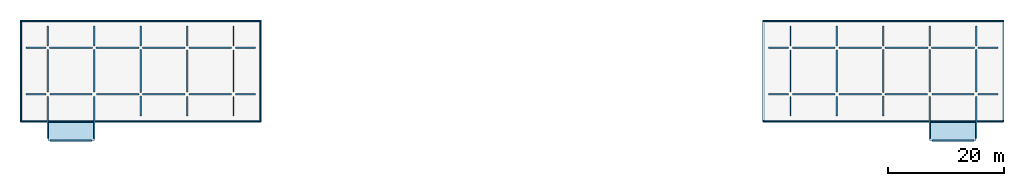
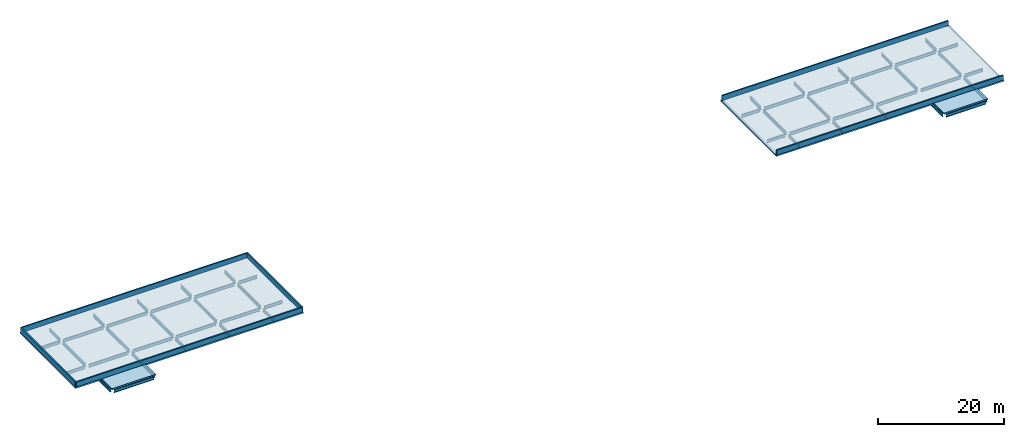
# One storey, part 1 of 2: 56 beams, 6 walls, 2 slabs.
"""IFC4 building model written with IfcOpenShell, lengths in metres."""

from ifc_helpers import new_model, si_unit, derived_unit, direction, frame, frame_2d, origin, origin_2d, place, context, subcontext, project, spatial, polyline, rectangle, i_section, outline, extrude, material, layer, layer_set, material_profile, profile_set, type_object, element, save


model = new_model("IFC4")

# Units and contexts
model_context = context("Model", 3, precision=1e-05, world=origin(), true_north=direction((0.0, 1.0)))
body_context = subcontext(model_context, "Body", "Model", "MODEL_VIEW")
ifc_project = project(units=[si_unit("LENGTHUNIT", "METRE"), si_unit("AREAUNIT", "SQUARE_METRE"), si_unit("VOLUMEUNIT", "CUBIC_METRE"), si_unit("PLANEANGLEUNIT", "RADIAN"), si_unit("MASSUNIT", "GRAM", prefix="KILO"), derived_unit("THERMALTRANSMITTANCEUNIT", [(si_unit("MASSUNIT", "GRAM", prefix="KILO"), 1), (si_unit("TIMEUNIT", "SECOND"), -3), (si_unit("THERMODYNAMICTEMPERATUREUNIT", "KELVIN"), -1)])], contexts=[model_context])

# Site, building, storey
site_placement = place(None, origin())
site = spatial("IfcSite", under=ifc_project, at=site_placement, CompositionType="ELEMENT")
building_placement = place(site_placement, origin())
building = spatial("IfcBuilding", under=site, at=building_placement, Name="Veyamyaing Civic Hall", CompositionType="ELEMENT")
storey_placement = place(building_placement, frame((0.0, 0.0, 30.030029296875)))
storey = spatial("IfcBuildingStorey", under=building, at=storey_placement, Name="RF", CompositionType="ELEMENT", Elevation=30.030029296875)

# Beams
ifc_material_1 = material(Name="Steel ASTM A992", Category="steel")
ifc_material_profile_1 = material_profile(ifc_material_1, i_section(OverallWidth=0.22998046875, OverallDepth=0.616943359375, WebThickness=0.01318359375, FlangeThickness=0.022216796875, FilletRadius=0.012939453125, at=origin_2d()), Name="W610X140")
ifc_profile_set_1 = profile_set([ifc_material_profile_1], Name="Steel ASTM A992")
beam_type_1 = type_object("IfcBeamType", Name="B-05", PredefinedType="BEAM", material=ifc_profile_set_1)
beam_1_placement = place(storey_placement, frame((8.35009765625, 96.0, -0.55859375), z_axis=(1.0, 0.0, 0.0), x_axis=(0.0, 1.0, 0.0)))
element("IfcBeam", 1, at=beam_1_placement, inside=storey, type_object=beam_type_1, Name="Roof girder B-05 RF X 1-12", PredefinedType="BEAM", context=body_context, shape_type="SweptSolid", body=[
    extrude(i_section(OverallWidth=0.22998046875, OverallDepth=0.616943359375, WebThickness=0.01318359375, FlangeThickness=0.022216796875, FilletRadius=0.012939453125, at=origin_2d()), origin(), (0.0, 0.0, 1.0), 7.2998046875),
])
for number, where, z_axis, x_axis, name in (
    (2, (16.35009765625, 96.0, -0.55859375), (1.0, 0.0, 0.0), (0.0, 1.0, 0.0), "Roof girder B-05 RF X 2-12"),
    (3, (24.300048828125, 96.0, -0.55859375), (1.0, 0.0, 0.0), (0.0, 1.0, 0.0), "Roof girder B-05 RF X 3-12"),
):
    element("IfcBeam", number, at=place(storey_placement, frame(where, z_axis=z_axis, x_axis=x_axis)), inside=storey, type_object=beam_type_1, Name=name, PredefinedType="BEAM", context=body_context, shape_type="SweptSolid", body=[
        extrude(i_section(OverallWidth=0.22998046875, OverallDepth=0.616943359375, WebThickness=0.01318359375, FlangeThickness=0.022216796875, FilletRadius=0.012939453125, at=origin_2d()), origin(), (0.0, 0.0, 1.0), 7.349853515625),
    ])
beam_2_placement = place(storey_placement, frame((32.35009765625, 96.0, -0.55859375), z_axis=(1.0, 0.0, 0.0), x_axis=(0.0, 1.0, 0.0)))
element("IfcBeam", 4, at=beam_2_placement, inside=storey, type_object=beam_type_1, Name="Roof girder B-05 RF X 4-12", PredefinedType="BEAM", context=body_context, shape_type="SweptSolid", body=[
    extrude(i_section(OverallWidth=0.22998046875, OverallDepth=0.616943359375, WebThickness=0.01318359375, FlangeThickness=0.022216796875, FilletRadius=0.012939453125, at=origin_2d()), origin(), (0.0, 0.0, 1.0), 7.2998046875),
])
for number, where, z_axis, x_axis, name in (
    (5, (8.300048828125, 104.0, -0.55859375), (1.0, 0.0, 0.0), (0.0, 1.0, 0.0), "Roof girder B-05 RF X 1-13"),
    (6, (16.300048828125, 104.0, -0.55859375), (1.0, 0.0, 0.0), (0.0, 1.0, 0.0), "Roof girder B-05 RF X 2-13"),
):
    element("IfcBeam", number, at=place(storey_placement, frame(where, z_axis=z_axis, x_axis=x_axis)), inside=storey, type_object=beam_type_1, Name=name, PredefinedType="BEAM", context=body_context, shape_type="SweptSolid", body=[
        extrude(i_section(OverallWidth=0.22998046875, OverallDepth=0.616943359375, WebThickness=0.01318359375, FlangeThickness=0.022216796875, FilletRadius=0.012939453125, at=origin_2d()), origin(), (0.0, 0.0, 1.0), 7.39990234375),
    ])
beam_3_placement = place(storey_placement, frame((24.300048828125, 104.0, -0.55859375), z_axis=(1.0, 0.0, 0.0), x_axis=(0.0, 1.0, 0.0)))
element("IfcBeam", 7, at=beam_3_placement, inside=storey, type_object=beam_type_1, Name="Roof girder B-05 RF X 3-13", PredefinedType="BEAM", context=body_context, shape_type="SweptSolid", body=[
    extrude(i_section(OverallWidth=0.22998046875, OverallDepth=0.616943359375, WebThickness=0.01318359375, FlangeThickness=0.022216796875, FilletRadius=0.012939453125, at=origin_2d()), origin(), (0.0, 0.0, 1.0), 7.349853515625),
])
beam_4_placement = place(storey_placement, frame((32.35009765625, 104.0, -0.55859375), z_axis=(1.0, 0.0, 0.0), x_axis=(0.0, 1.0, 0.0)))
element("IfcBeam", 8, at=beam_4_placement, inside=storey, type_object=beam_type_1, Name="Roof girder B-05 RF X 4-13", PredefinedType="BEAM", context=body_context, shape_type="SweptSolid", body=[
    extrude(i_section(OverallWidth=0.22998046875, OverallDepth=0.616943359375, WebThickness=0.01318359375, FlangeThickness=0.022216796875, FilletRadius=0.012939453125, at=origin_2d()), origin(), (0.0, 0.0, 1.0), 7.2998046875),
])
beam_5_placement = place(storey_placement, frame((8.0, 96.35009765625, -0.55859375), z_axis=(0.0, 1.0, 0.0), x_axis=(-1.0, 0.0, 0.0)))
element("IfcBeam", 9, at=beam_5_placement, inside=storey, type_object=beam_type_1, Name="Roof girder B-05 RF Y 1-12", PredefinedType="BEAM", context=body_context, shape_type="SweptSolid", body=[
    extrude(i_section(OverallWidth=0.22998046875, OverallDepth=0.616943359375, WebThickness=0.01318359375, FlangeThickness=0.022216796875, FilletRadius=0.012939453125, at=origin_2d()), origin(), (0.0, 0.0, 1.0), 7.349853515625),
])
beam_6_placement = place(storey_placement, frame((8.0, 88.35009765625, -0.55859375), z_axis=(0.0, 1.0, 0.0), x_axis=(-1.0, 0.0, 0.0)))
element("IfcBeam", 10, at=beam_6_placement, inside=storey, type_object=beam_type_1, Name="Core roof girder B-05 RF Y 1-11", PredefinedType="BEAM", context=body_context, shape_type="SweptSolid", body=[
    extrude(i_section(OverallWidth=0.22998046875, OverallDepth=0.616943359375, WebThickness=0.01318359375, FlangeThickness=0.022216796875, FilletRadius=0.012939453125, at=origin_2d()), origin(), (0.0, 0.0, 1.0), 7.2998046875),
])
beam_7_placement = place(storey_placement, frame((16.0, 96.35009765625, -0.55859375), z_axis=(0.0, 1.0, 0.0), x_axis=(-1.0, 0.0, 0.0)))
element("IfcBeam", 11, at=beam_7_placement, inside=storey, type_object=beam_type_1, Name="Roof girder B-05 RF Y 2-12", PredefinedType="BEAM", context=body_context, shape_type="SweptSolid", body=[
    extrude(i_section(OverallWidth=0.22998046875, OverallDepth=0.616943359375, WebThickness=0.01318359375, FlangeThickness=0.022216796875, FilletRadius=0.012939453125, at=origin_2d()), origin(), (0.0, 0.0, 1.0), 7.349853515625),
])
beam_8_placement = place(storey_placement, frame((16.0, 88.35009765625, -0.55859375), z_axis=(0.0, 1.0, 0.0), x_axis=(-1.0, 0.0, 0.0)))
element("IfcBeam", 12, at=beam_8_placement, inside=storey, type_object=beam_type_1, Name="Core roof girder B-05 RF Y 2-11", PredefinedType="BEAM", context=body_context, shape_type="SweptSolid", body=[
    extrude(i_section(OverallWidth=0.22998046875, OverallDepth=0.616943359375, WebThickness=0.01318359375, FlangeThickness=0.022216796875, FilletRadius=0.012939453125, at=origin_2d()), origin(), (0.0, 0.0, 1.0), 7.2998046875),
])
beam_9_placement = place(storey_placement, frame((24.0, 96.300048828125, -0.55859375), z_axis=(0.0, 1.0, 0.0), x_axis=(-1.0, 0.0, 0.0)))
element("IfcBeam", 13, at=beam_9_placement, inside=storey, type_object=beam_type_1, Name="Roof girder B-05 RF Y 3-12", PredefinedType="BEAM", context=body_context, shape_type="SweptSolid", body=[
    extrude(i_section(OverallWidth=0.22998046875, OverallDepth=0.616943359375, WebThickness=0.01318359375, FlangeThickness=0.022216796875, FilletRadius=0.012939453125, at=origin_2d()), origin(), (0.0, 0.0, 1.0), 7.39990234375),
])
for number, where, z_axis, x_axis, name in (
    (14, (32.0, 96.35009765625, -0.55859375), (0.0, 1.0, 0.0), (-1.0, 0.0, 0.0), "Roof girder B-05 RF Y 4-12"),
    (15, (40.0, 96.35009765625, -0.55859375), (0.0, 1.0, 0.0), (-1.0, 0.0, 0.0), "Roof girder B-05 RF Y 5-12"),
    (16, (136.35009765625, 96.0, -0.55859375), (1.0, 0.0, 0.0), (0.0, 1.0, 0.0), "Roof girder B-05 RF X 17-12"),
):
    element("IfcBeam", number, at=place(storey_placement, frame(where, z_axis=z_axis, x_axis=x_axis)), inside=storey, type_object=beam_type_1, Name=name, PredefinedType="BEAM", context=body_context, shape_type="SweptSolid", body=[
        extrude(i_section(OverallWidth=0.22998046875, OverallDepth=0.616943359375, WebThickness=0.01318359375, FlangeThickness=0.022216796875, FilletRadius=0.012939453125, at=origin_2d()), origin(), (0.0, 0.0, 1.0), 7.2998046875),
    ])
for number, where, z_axis, x_axis, name in (
    (17, (144.35009765625, 96.0, -0.55859375), (1.0, 0.0, 0.0), (0.0, 1.0, 0.0), "Roof girder B-05 RF X 18-12"),
    (18, (152.300048828125, 96.0, -0.55859375), (1.0, 0.0, 0.0), (0.0, 1.0, 0.0), "Roof girder B-05 RF X 19-12"),
):
    element("IfcBeam", number, at=place(storey_placement, frame(where, z_axis=z_axis, x_axis=x_axis)), inside=storey, type_object=beam_type_1, Name=name, PredefinedType="BEAM", context=body_context, shape_type="SweptSolid", body=[
        extrude(i_section(OverallWidth=0.22998046875, OverallDepth=0.616943359375, WebThickness=0.01318359375, FlangeThickness=0.022216796875, FilletRadius=0.012939453125, at=origin_2d()), origin(), (0.0, 0.0, 1.0), 7.349853515625),
    ])
for number, where, z_axis, x_axis, name in (
    (19, (160.35009765625, 96.0, -0.55859375), (1.0, 0.0, 0.0), (0.0, 1.0, 0.0), "Roof girder B-05 RF X 20-12"),
    (20, (136.35009765625, 104.0, -0.55859375), (1.0, 0.0, 0.0), (0.0, 1.0, 0.0), "Roof girder B-05 RF X 17-13"),
):
    element("IfcBeam", number, at=place(storey_placement, frame(where, z_axis=z_axis, x_axis=x_axis)), inside=storey, type_object=beam_type_1, Name=name, PredefinedType="BEAM", context=body_context, shape_type="SweptSolid", body=[
        extrude(i_section(OverallWidth=0.22998046875, OverallDepth=0.616943359375, WebThickness=0.01318359375, FlangeThickness=0.022216796875, FilletRadius=0.012939453125, at=origin_2d()), origin(), (0.0, 0.0, 1.0), 7.2998046875),
    ])
beam_10_placement = place(storey_placement, frame((144.35009765625, 104.0, -0.55859375), z_axis=(1.0, 0.0, 0.0), x_axis=(0.0, 1.0, 0.0)))
element("IfcBeam", 21, at=beam_10_placement, inside=storey, type_object=beam_type_1, Name="Roof girder B-05 RF X 18-13", PredefinedType="BEAM", context=body_context, shape_type="SweptSolid", body=[
    extrude(i_section(OverallWidth=0.22998046875, OverallDepth=0.616943359375, WebThickness=0.01318359375, FlangeThickness=0.022216796875, FilletRadius=0.012939453125, at=origin_2d()), origin(), (0.0, 0.0, 1.0), 7.349853515625),
])
for number, where, z_axis, x_axis, name in (
    (22, (152.300048828125, 104.0, -0.55859375), (1.0, 0.0, 0.0), (0.0, 1.0, 0.0), "Roof girder B-05 RF X 19-13"),
    (23, (160.300048828125, 104.0, -0.55859375), (1.0, 0.0, 0.0), (0.0, 1.0, 0.0), "Roof girder B-05 RF X 20-13"),
):
    element("IfcBeam", number, at=place(storey_placement, frame(where, z_axis=z_axis, x_axis=x_axis)), inside=storey, type_object=beam_type_1, Name=name, PredefinedType="BEAM", context=body_context, shape_type="SweptSolid", body=[
        extrude(i_section(OverallWidth=0.22998046875, OverallDepth=0.616943359375, WebThickness=0.01318359375, FlangeThickness=0.022216796875, FilletRadius=0.012939453125, at=origin_2d()), origin(), (0.0, 0.0, 1.0), 7.39990234375),
    ])
for number, where, z_axis, x_axis, name in (
    (24, (136.0, 96.35009765625, -0.55859375), (0.0, 1.0, 0.0), (-1.0, 0.0, 0.0), "Roof girder B-05 RF Y 17-12"),
    (25, (144.0, 96.35009765625, -0.55859375), (0.0, 1.0, 0.0), (-1.0, 0.0, 0.0), "Roof girder B-05 RF Y 18-12"),
):
    element("IfcBeam", number, at=place(storey_placement, frame(where, z_axis=z_axis, x_axis=x_axis)), inside=storey, type_object=beam_type_1, Name=name, PredefinedType="BEAM", context=body_context, shape_type="SweptSolid", body=[
        extrude(i_section(OverallWidth=0.22998046875, OverallDepth=0.616943359375, WebThickness=0.01318359375, FlangeThickness=0.022216796875, FilletRadius=0.012939453125, at=origin_2d()), origin(), (0.0, 0.0, 1.0), 7.2998046875),
    ])
beam_11_placement = place(storey_placement, frame((152.0, 96.300048828125, -0.55859375), z_axis=(0.0, 1.0, 0.0), x_axis=(-1.0, 0.0, 0.0)))
element("IfcBeam", 26, at=beam_11_placement, inside=storey, type_object=beam_type_1, Name="Roof girder B-05 RF Y 19-12", PredefinedType="BEAM", context=body_context, shape_type="SweptSolid", body=[
    extrude(i_section(OverallWidth=0.22998046875, OverallDepth=0.616943359375, WebThickness=0.01318359375, FlangeThickness=0.022216796875, FilletRadius=0.012939453125, at=origin_2d()), origin(), (0.0, 0.0, 1.0), 7.39990234375),
])
beam_12_placement = place(storey_placement, frame((160.0, 96.35009765625, -0.55859375), z_axis=(0.0, 1.0, 0.0), x_axis=(-1.0, 0.0, 0.0)))
element("IfcBeam", 27, at=beam_12_placement, inside=storey, type_object=beam_type_1, Name="Roof girder B-05 RF Y 20-12", PredefinedType="BEAM", context=body_context, shape_type="SweptSolid", body=[
    extrude(i_section(OverallWidth=0.22998046875, OverallDepth=0.616943359375, WebThickness=0.01318359375, FlangeThickness=0.022216796875, FilletRadius=0.012939453125, at=origin_2d()), origin(), (0.0, 0.0, 1.0), 7.349853515625),
])
beam_13_placement = place(storey_placement, frame((160.0, 88.35009765625, -0.55859375), z_axis=(0.0, 1.0, 0.0), x_axis=(-1.0, 0.0, 0.0)))
element("IfcBeam", 28, at=beam_13_placement, inside=storey, type_object=beam_type_1, Name="Core roof girder B-05 RF Y 20-11", PredefinedType="BEAM", context=body_context, shape_type="SweptSolid", body=[
    extrude(i_section(OverallWidth=0.22998046875, OverallDepth=0.616943359375, WebThickness=0.01318359375, FlangeThickness=0.022216796875, FilletRadius=0.012939453125, at=origin_2d()), origin(), (0.0, 0.0, 1.0), 7.2998046875),
])
beam_14_placement = place(storey_placement, frame((168.0, 96.35009765625, -0.55859375), z_axis=(0.0, 1.0, 0.0), x_axis=(-1.0, 0.0, 0.0)))
element("IfcBeam", 29, at=beam_14_placement, inside=storey, type_object=beam_type_1, Name="Roof girder B-05 RF Y 21-12", PredefinedType="BEAM", context=body_context, shape_type="SweptSolid", body=[
    extrude(i_section(OverallWidth=0.22998046875, OverallDepth=0.616943359375, WebThickness=0.01318359375, FlangeThickness=0.022216796875, FilletRadius=0.012939453125, at=origin_2d()), origin(), (0.0, 0.0, 1.0), 7.349853515625),
])
beam_15_placement = place(storey_placement, frame((168.0, 88.35009765625, -0.55859375), z_axis=(0.0, 1.0, 0.0), x_axis=(-1.0, 0.0, 0.0)))
element("IfcBeam", 30, at=beam_15_placement, inside=storey, type_object=beam_type_1, Name="Core roof girder B-05 RF Y 21-11", PredefinedType="BEAM", context=body_context, shape_type="SweptSolid", body=[
    extrude(i_section(OverallWidth=0.22998046875, OverallDepth=0.616943359375, WebThickness=0.01318359375, FlangeThickness=0.022216796875, FilletRadius=0.012939453125, at=origin_2d()), origin(), (0.0, 0.0, 1.0), 7.2998046875),
])
ifc_material_profile_2 = material_profile(ifc_material_1, i_section(OverallWidth=0.22802734375, OverallDepth=0.60791015625, WebThickness=0.01123046875, FlangeThickness=0.017333984375, FilletRadius=0.012939453125, at=origin_2d()), Name="W610X113")
ifc_profile_set_2 = profile_set([ifc_material_profile_2], Name="Steel ASTM A992")
beam_type_2 = type_object("IfcBeamType", Name="B-06", PredefinedType="BEAM", material=ifc_profile_set_2)
beam_16_placement = place(storey_placement, frame((8.35009765625, 88.0, -0.55859375), z_axis=(1.0, 0.0, 0.0), x_axis=(0.0, 1.0, 0.0)))
element("IfcBeam", 31, at=beam_16_placement, inside=storey, type_object=beam_type_2, Name="Core penthouse roof girder B-06 RF NW", PredefinedType="BEAM", context=body_context, shape_type="SweptSolid", body=[
    extrude(i_section(OverallWidth=0.22802734375, OverallDepth=0.60791015625, WebThickness=0.01123046875, FlangeThickness=0.017333984375, FilletRadius=0.012939453125, at=origin_2d()), origin(), (0.0, 0.0, 1.0), 7.2998046875),
])
for number, where, z_axis, x_axis, name in (
    (32, (8.0, 104.300048828125, -0.55859375), (0.0, 1.0, 0.0), (-1.0, 0.0, 0.0), "Roof cantilever girder B-06 RF N 1"),
    (33, (16.0, 104.300048828125, -0.55859375), (0.0, 1.0, 0.0), (-1.0, 0.0, 0.0), "Roof cantilever girder B-06 RF N 2"),
    (34, (24.0, 92.25, -0.55859375), (0.0, 1.0, 0.0), (-1.0, 0.0, 0.0), "Roof cantilever girder B-06 RF S 3"),
    (35, (24.0, 104.300048828125, -0.55859375), (0.0, 1.0, 0.0), (-1.0, 0.0, 0.0), "Roof cantilever girder B-06 RF N 3"),
):
    element("IfcBeam", number, at=place(storey_placement, frame(where, z_axis=z_axis, x_axis=x_axis)), inside=storey, type_object=beam_type_2, Name=name, PredefinedType="BEAM", context=body_context, shape_type="SweptSolid", body=[
        extrude(i_section(OverallWidth=0.22802734375, OverallDepth=0.60791015625, WebThickness=0.01123046875, FlangeThickness=0.017333984375, FilletRadius=0.012939453125, at=origin_2d()), origin(), (0.0, 0.0, 1.0), 3.449951171875),
    ])
for number, where, z_axis, x_axis, name in (
    (36, (32.0, 92.25, -0.55859375), (0.0, 1.0, 0.0), (-1.0, 0.0, 0.0), "Roof cantilever girder B-06 RF S 4"),
    (37, (32.0, 104.35009765625, -0.55859375), (0.0, 1.0, 0.0), (-1.0, 0.0, 0.0), "Roof cantilever girder B-06 RF N 4"),
    (38, (40.0, 92.25, -0.55859375), (0.0, 1.0, 0.0), (-1.0, 0.0, 0.0), "Roof cantilever girder B-06 RF S 5"),
    (39, (40.0, 104.35009765625, -0.55859375), (0.0, 1.0, 0.0), (-1.0, 0.0, 0.0), "Roof cantilever girder B-06 RF N 5"),
    (40, (4.25, 96.0, -0.55859375), (1.0, 0.0, 0.0), (0.0, 1.0, 0.0), "Roof cantilever girder B-06 RF W NW 12"),
    (41, (40.35009765625, 96.0, -0.55859375), (1.0, 0.0, 0.0), (0.0, 1.0, 0.0), "Roof cantilever girder B-06 RF E NW 12"),
):
    element("IfcBeam", number, at=place(storey_placement, frame(where, z_axis=z_axis, x_axis=x_axis)), inside=storey, type_object=beam_type_2, Name=name, PredefinedType="BEAM", context=body_context, shape_type="SweptSolid", body=[
        extrude(i_section(OverallWidth=0.22802734375, OverallDepth=0.60791015625, WebThickness=0.01123046875, FlangeThickness=0.017333984375, FilletRadius=0.012939453125, at=origin_2d()), origin(), (0.0, 0.0, 1.0), 3.39990234375),
    ])
beam_17_placement = place(storey_placement, frame((4.25, 104.0, -0.55859375), z_axis=(1.0, 0.0, 0.0), x_axis=(0.0, 1.0, 0.0)))
element("IfcBeam", 42, at=beam_17_placement, inside=storey, type_object=beam_type_2, Name="Roof cantilever girder B-06 RF W NW 13", PredefinedType="BEAM", context=body_context, shape_type="SweptSolid", body=[
    extrude(i_section(OverallWidth=0.22802734375, OverallDepth=0.60791015625, WebThickness=0.01123046875, FlangeThickness=0.017333984375, FilletRadius=0.012939453125, at=origin_2d()), origin(), (0.0, 0.0, 1.0), 3.449951171875),
])
beam_18_placement = place(storey_placement, frame((40.35009765625, 104.0, -0.55859375), z_axis=(1.0, 0.0, 0.0), x_axis=(0.0, 1.0, 0.0)))
element("IfcBeam", 43, at=beam_18_placement, inside=storey, type_object=beam_type_2, Name="Roof cantilever girder B-06 RF E NW 13", PredefinedType="BEAM", context=body_context, shape_type="SweptSolid", body=[
    extrude(i_section(OverallWidth=0.22802734375, OverallDepth=0.60791015625, WebThickness=0.01123046875, FlangeThickness=0.017333984375, FilletRadius=0.012939453125, at=origin_2d()), origin(), (0.0, 0.0, 1.0), 3.39990234375),
])
beam_19_placement = place(storey_placement, frame((160.35009765625, 88.0, -0.55859375), z_axis=(1.0, 0.0, 0.0), x_axis=(0.0, 1.0, 0.0)))
element("IfcBeam", 44, at=beam_19_placement, inside=storey, type_object=beam_type_2, Name="Core penthouse roof girder B-06 RF NE", PredefinedType="BEAM", context=body_context, shape_type="SweptSolid", body=[
    extrude(i_section(OverallWidth=0.22802734375, OverallDepth=0.60791015625, WebThickness=0.01123046875, FlangeThickness=0.017333984375, FilletRadius=0.012939453125, at=origin_2d()), origin(), (0.0, 0.0, 1.0), 7.2998046875),
])
for number, where, z_axis, x_axis, name in (
    (45, (136.0, 92.25, -0.55859375), (0.0, 1.0, 0.0), (-1.0, 0.0, 0.0), "Roof cantilever girder B-06 RF S 17"),
    (46, (136.0, 104.35009765625, -0.55859375), (0.0, 1.0, 0.0), (-1.0, 0.0, 0.0), "Roof cantilever girder B-06 RF N 17"),
    (47, (144.0, 92.25, -0.55859375), (0.0, 1.0, 0.0), (-1.0, 0.0, 0.0), "Roof cantilever girder B-06 RF S 18"),
    (48, (144.0, 104.35009765625, -0.55859375), (0.0, 1.0, 0.0), (-1.0, 0.0, 0.0), "Roof cantilever girder B-06 RF N 18"),
):
    element("IfcBeam", number, at=place(storey_placement, frame(where, z_axis=z_axis, x_axis=x_axis)), inside=storey, type_object=beam_type_2, Name=name, PredefinedType="BEAM", context=body_context, shape_type="SweptSolid", body=[
        extrude(i_section(OverallWidth=0.22802734375, OverallDepth=0.60791015625, WebThickness=0.01123046875, FlangeThickness=0.017333984375, FilletRadius=0.012939453125, at=origin_2d()), origin(), (0.0, 0.0, 1.0), 3.39990234375),
    ])
for number, where, z_axis, x_axis, name in (
    (49, (152.0, 92.25, -0.55859375), (0.0, 1.0, 0.0), (-1.0, 0.0, 0.0), "Roof cantilever girder B-06 RF S 19"),
    (50, (152.0, 104.300048828125, -0.55859375), (0.0, 1.0, 0.0), (-1.0, 0.0, 0.0), "Roof cantilever girder B-06 RF N 19"),
    (51, (160.0, 104.300048828125, -0.55859375), (0.0, 1.0, 0.0), (-1.0, 0.0, 0.0), "Roof cantilever girder B-06 RF N 20"),
    (52, (168.0, 104.300048828125, -0.55859375), (0.0, 1.0, 0.0), (-1.0, 0.0, 0.0), "Roof cantilever girder B-06 RF N 21"),
):
    element("IfcBeam", number, at=place(storey_placement, frame(where, z_axis=z_axis, x_axis=x_axis)), inside=storey, type_object=beam_type_2, Name=name, PredefinedType="BEAM", context=body_context, shape_type="SweptSolid", body=[
        extrude(i_section(OverallWidth=0.22802734375, OverallDepth=0.60791015625, WebThickness=0.01123046875, FlangeThickness=0.017333984375, FilletRadius=0.012939453125, at=origin_2d()), origin(), (0.0, 0.0, 1.0), 3.449951171875),
    ])
for number, where, z_axis, x_axis, name in (
    (53, (132.25, 96.0, -0.55859375), (1.0, 0.0, 0.0), (0.0, 1.0, 0.0), "Roof cantilever girder B-06 RF W NE 12"),
    (54, (168.35009765625, 96.0, -0.55859375), (1.0, 0.0, 0.0), (0.0, 1.0, 0.0), "Roof cantilever girder B-06 RF E NE 12"),
    (55, (132.25, 104.0, -0.55859375), (1.0, 0.0, 0.0), (0.0, 1.0, 0.0), "Roof cantilever girder B-06 RF W NE 13"),
):
    element("IfcBeam", number, at=place(storey_placement, frame(where, z_axis=z_axis, x_axis=x_axis)), inside=storey, type_object=beam_type_2, Name=name, PredefinedType="BEAM", context=body_context, shape_type="SweptSolid", body=[
        extrude(i_section(OverallWidth=0.22802734375, OverallDepth=0.60791015625, WebThickness=0.01123046875, FlangeThickness=0.017333984375, FilletRadius=0.012939453125, at=origin_2d()), origin(), (0.0, 0.0, 1.0), 3.39990234375),
    ])
beam_20_placement = place(storey_placement, frame((168.300048828125, 104.0, -0.55859375), z_axis=(1.0, 0.0, 0.0), x_axis=(0.0, 1.0, 0.0)))
element("IfcBeam", 56, at=beam_20_placement, inside=storey, type_object=beam_type_2, Name="Roof cantilever girder B-06 RF E NE 13", PredefinedType="BEAM", context=body_context, shape_type="SweptSolid", body=[
    extrude(i_section(OverallWidth=0.22802734375, OverallDepth=0.60791015625, WebThickness=0.01123046875, FlangeThickness=0.017333984375, FilletRadius=0.012939453125, at=origin_2d()), origin(), (0.0, 0.0, 1.0), 3.449951171875),
])

# Slabs
ifc_material_2 = material(Name="Concrete C40/50", Category="concrete")
ifc_layer_1 = layer(ifc_material_2, 0.25, Name="Concrete C40/50")
ifc_layer_set_1 = layer_set([ifc_layer_1], Name="Concrete C40/50")
slab_type = type_object("IfcSlabType", Name="SL-10", PredefinedType="ROOF", material=ifc_layer_set_1)
slab_1_placement = place(storey_placement, frame((0.0, 0.0, -0.25)))
element("IfcSlab", 57, at=slab_1_placement, inside=storey, type_object=slab_type, Name="Roof slab SL-10 RF V4NE.1", PredefinedType="ROOF", context=body_context, shape_type="SweptSolid", body=[
    extrude(outline(polyline([(160.0, 88.0), (160.0, 91.199951171875), (131.199951171875, 91.199951171875), (131.199951171875, 108.800048828125), (172.800048828125, 108.800048828125), (172.800048828125, 91.199951171875), (168.0, 91.199951171875), (168.0, 88.0), (160.0, 88.0)])), origin(), (0.0, 0.0, 1.0), 0.25),
])
slab_2_placement = place(storey_placement, frame((0.0, 0.0, -0.25)))
element("IfcSlab", 58, at=slab_2_placement, inside=storey, type_object=slab_type, Name="Roof slab SL-10 RF V4NW.1", PredefinedType="ROOF", context=body_context, shape_type="SweptSolid", body=[
    extrude(outline(polyline([(8.0, 88.0), (8.0, 91.199951171875), (3.199951171875, 91.199951171875), (3.199951171875, 108.800048828125), (44.800048828125, 108.800048828125), (44.800048828125, 91.199951171875), (16.0, 91.199951171875), (16.0, 88.0), (8.0, 88.0)])), origin(), (0.0, 0.0, 1.0), 0.25),
])

# Walls
ifc_material_3 = material(Name="Precast concrete C40/50", Category="concrete")
ifc_layer_2 = layer(ifc_material_3, 0.2451171875, Name="Precast concrete C40/50")
ifc_layer_set_2 = layer_set([ifc_layer_2], Name="Precast concrete C40/50")
wall_type = type_object("IfcWallType", Name="WT-10", PredefinedType="PARAPET", material=ifc_layer_set_2)
for number, where, z_axis, x_axis, name in (
    (59, (3.320068359375, 91.320068359375, 0.0), (0.0, 0.0, 1.0), (1.0, 0.0, 0.0), "Roof parapet WT-10 RF.7"),
    (60, (3.320068359375, 108.679931640625, 0.0), (0.0, 0.0, 1.0), (1.0, 0.0, 0.0), "Roof parapet WT-10 RF.8"),
):
    element("IfcWall", number, at=place(storey_placement, frame(where, z_axis=z_axis, x_axis=x_axis)), inside=storey, type_object=wall_type, Name=name, PredefinedType="PARAPET", context=body_context, shape_type="SweptSolid", body=[
        extrude(rectangle(XDim=41.35986328125, YDim=0.2451171875, at=frame_2d((20.679931640625, 0.0))), origin(), (0.0, 0.0, 1.0), 0.949951171875),
    ])
for number, where, z_axis, x_axis, name in (
    (61, (3.320068359375, 91.320068359375, 0.0), (0.0, 0.0, 1.0), (0.0, 1.0, 0.0), "Roof parapet WT-10 RF.9"),
    (62, (44.679931640625, 91.320068359375, 0.0), (0.0, 0.0, 1.0), (0.0, 1.0, 0.0), "Roof parapet WT-10 RF.10"),
):
    element("IfcWall", number, at=place(storey_placement, frame(where, z_axis=z_axis, x_axis=x_axis)), inside=storey, type_object=wall_type, Name=name, PredefinedType="PARAPET", context=body_context, shape_type="SweptSolid", body=[
        extrude(rectangle(XDim=17.35986328125, YDim=0.2451171875, at=frame_2d((8.679931640625, 0.0))), origin(), (0.0, 0.0, 1.0), 0.949951171875),
    ])
for number, where, z_axis, x_axis, name in (
    (63, (131.320068359375, 91.320068359375, 0.0), (0.0, 0.0, 1.0), (1.0, 0.0, 0.0), "Roof parapet WT-10 RF.11"),
    (64, (131.320068359375, 108.679931640625, 0.0), (0.0, 0.0, 1.0), (1.0, 0.0, 0.0), "Roof parapet WT-10 RF.12"),
):
    element("IfcWall", number, at=place(storey_placement, frame(where, z_axis=z_axis, x_axis=x_axis)), inside=storey, type_object=wall_type, Name=name, PredefinedType="PARAPET", context=body_context, shape_type="SweptSolid", body=[
        extrude(rectangle(XDim=41.35986328125, YDim=0.2451171875, at=frame_2d((20.679931640625, 0.0))), origin(), (0.0, 0.0, 1.0), 0.949951171875),
    ])

save(model, "model.ifc")
